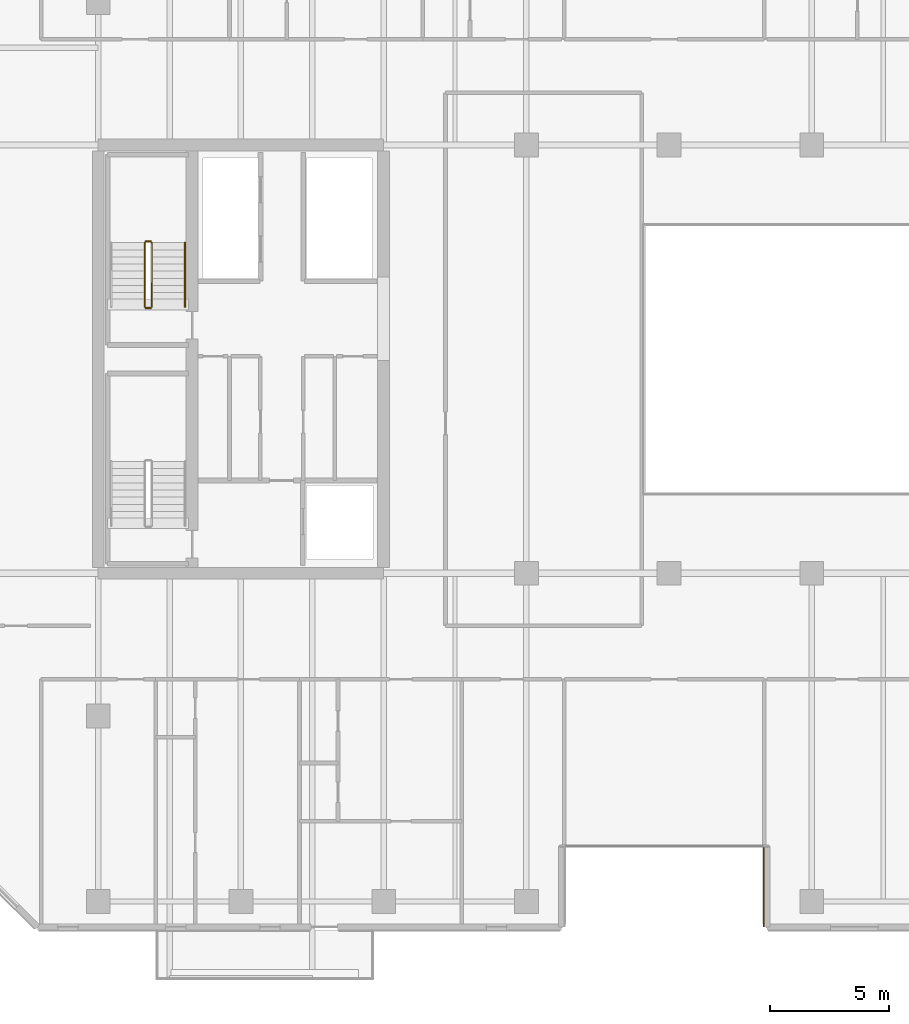
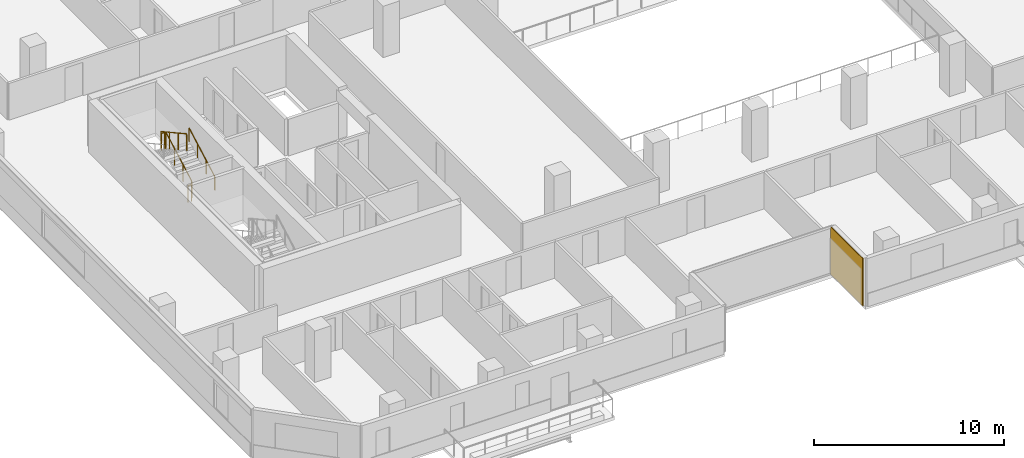
# One storey, part 20 of 23: 5 railings, 1 covering.
"""IFC4 building model written with IfcOpenShell, lengths in metres."""

from ifc_helpers import new_model, si_unit, direction, frame, origin, origin_2d, place, context, subcontext, project, spatial, rectangle, extrude, material, layer, layer_set, type_object, element, save


model = new_model("IFC4")

# Units and contexts
model_context = context("Model", 3, precision=1e-05, world=origin(), true_north=direction((0.0, 1.0)))
body_context = subcontext(model_context, "Body", "Model", "MODEL_VIEW")
ifc_project = project(units=[si_unit("LENGTHUNIT", "METRE"), si_unit("AREAUNIT", "SQUARE_METRE"), si_unit("VOLUMEUNIT", "CUBIC_METRE"), si_unit("PLANEANGLEUNIT", "RADIAN"), si_unit("MASSUNIT", "GRAM", prefix="KILO")], contexts=[model_context])

# Site, building, storey
site_placement = place(None, origin())
site = spatial("IfcSite", under=ifc_project, at=site_placement, CompositionType="ELEMENT")
building_placement = place(site_placement, origin())
building = spatial("IfcBuilding", under=site, at=building_placement, Name="Tanjung Sevakor Pilgrim Tower", CompositionType="ELEMENT")
storey_placement = place(building_placement, frame((0.0, 0.0, 88.77001953125)))
storey = spatial("IfcBuildingStorey", under=building, at=storey_placement, Name="L24", CompositionType="ELEMENT", Elevation=88.77001953125)

# Covering
ifc_material_1 = material(Name="Reconstructed Limestone Cladding", Category="masonry")
ifc_layer = layer(ifc_material_1, 0.044921875)
ifc_layer_set = layer_set([ifc_layer], Name="COV-CLAD-LIMESTONE")
covering_type = type_object("IfcCoveringType", Name="COV-CLAD-LIMESTONE", PredefinedType="CLADDING", material=ifc_layer_set)
covering_placement = place(storey_placement, frame((51.9775390625, 11.425048828125, 0.02001953125), z_axis=(0.0, 0.0, 1.0), x_axis=(0.0, -1.0, 0.0)))
element("IfcCovering", 1, at=covering_placement, inside=storey, type_object=covering_type, Name="L24 Warm Limestone Wall Cladding EW-L24-MAIN-4", PredefinedType="CLADDING", context=body_context, shape_type="SweptSolid", body=[
    extrude(rectangle(XDim=3.360107421875, YDim=0.044921875, at=origin_2d()), origin(), (0.0, 0.0, 1.0), 3.0400390625),
])

# Railings
ifc_material_2 = material(Name="Steel S355J2", Category="steel")
railing_type_1 = type_object("IfcRailingType", Name="RL-STAIR-GUARD", PredefinedType="GUARDRAIL", material=ifc_material_2)
railing_1_placement = place(storey_placement, frame((26.25, 35.800048828125, 0.1650390625)))
element("IfcRailing", 2, at=railing_1_placement, inside=storey, type_object=railing_type_1, Name="L24 TS-W2 stair guard 1", PredefinedType="GUARDRAIL", context=body_context, shape_type="SweptSolid", body=[
    extrude(rectangle(XDim=0.0479, YDim=0.0479), frame((0.0, 0.0, 1.076171875), z_axis=(0.0, 0.876230963923, 0.481891375584), x_axis=(-1.0, 0.0, 0.0)), (0.0, 0.0, 1.0), 3.081298828125),
    extrude(rectangle(XDim=0.042, YDim=0.042), origin(), (0.0, 0.0, 1.0), 1.052001953125),
    extrude(rectangle(XDim=0.042, YDim=0.042), frame((0.0, 0.89990234375, 0.494873046875)), (0.0, 0.0, 1.0), 1.052001953125),
    extrude(rectangle(XDim=0.042, YDim=0.042), frame((0.0, 1.800048828125, 0.989990234375)), (0.0, 0.0, 1.0), 1.052001953125),
    extrude(rectangle(XDim=0.042, YDim=0.042), frame((0.0, 2.699951171875, 1.48486328125)), (0.0, 0.0, 1.0), 1.052001953125),
])
railing_2_placement = place(storey_placement, frame((26.199951171875, 38.550048828125, 1.64990234375)))
element("IfcRailing", 3, at=railing_2_placement, inside=storey, type_object=railing_type_1, Name="L24 TS-W2 stair guard 2", PredefinedType="GUARDRAIL", context=body_context, shape_type="SweptSolid", body=[
    extrude(rectangle(XDim=0.0479, YDim=0.0479), frame((0.0, 0.0, 1.076171875), z_axis=(-1.0, 0.0, 0.0), x_axis=(0.0, -1.0, 0.0)), (0.0, 0.0, 1.0), 0.199951171875),
    extrude(rectangle(XDim=0.042, YDim=0.042), origin(), (0.0, 0.0, 1.0), 1.052001953125),
    extrude(rectangle(XDim=0.042, YDim=0.042), frame((-0.199951171875, 0.0, 0.0)), (0.0, 0.0, 1.0), 1.052001953125),
])
railing_3_placement = place(storey_placement, frame((25.949951171875, 38.5, 1.81494140625)))
element("IfcRailing", 4, at=railing_3_placement, inside=storey, type_object=railing_type_1, Name="L24 TS-W2 stair guard 3", PredefinedType="GUARDRAIL", context=body_context, shape_type="SweptSolid", body=[
    extrude(rectangle(XDim=0.0479, YDim=0.0479), frame((0.0, 0.0, 1.076171875), z_axis=(0.0, -0.876197507361, 0.481952205197), x_axis=(1.0, 0.0, 0.0)), (0.0, 0.0, 1.0), 3.08154296875),
    extrude(rectangle(XDim=0.042, YDim=0.042), origin(), (0.0, 0.0, 1.0), 1.052001953125),
    extrude(rectangle(XDim=0.042, YDim=0.042), frame((0.0, -0.89990234375, 0.4951171875)), (0.0, 0.0, 1.0), 1.052001953125),
    extrude(rectangle(XDim=0.042, YDim=0.042), frame((0.0, -1.800048828125, 0.989990234375)), (0.0, 0.0, 1.0), 1.052001953125),
    extrude(rectangle(XDim=0.042, YDim=0.042), frame((0.0, -2.699951171875, 1.485107421875)), (0.0, 0.0, 1.0), 1.052001953125),
])
railing_4_placement = place(storey_placement, frame((26.199951171875, 35.75, 0.0)))
element("IfcRailing", 5, at=railing_4_placement, inside=storey, type_object=railing_type_1, Name="L24 TS-W2 stair guard 4", PredefinedType="GUARDRAIL", context=body_context, shape_type="SweptSolid", body=[
    extrude(rectangle(XDim=0.0479, YDim=0.0479), frame((0.0, 0.0, 1.076171875), z_axis=(-1.0, 0.0, 0.0), x_axis=(0.0, -1.0, 0.0)), (0.0, 0.0, 1.0), 0.199951171875),
    extrude(rectangle(XDim=0.042, YDim=0.042), origin(), (0.0, 0.0, 1.0), 1.052001953125),
    extrude(rectangle(XDim=0.042, YDim=0.042), frame((-0.199951171875, 0.0, 0.0)), (0.0, 0.0, 1.0), 1.052001953125),
])
ifc_material_3 = material(Name="Steel S355J2", Category="steel")
railing_type_2 = type_object("IfcRailingType", Name="RL-STAIR-HAND", PredefinedType="HANDRAIL", material=ifc_material_3)
railing_5_placement = place(storey_placement, frame((27.64990234375, 35.800048828125, 0.1650390625)))
element("IfcRailing", 6, at=railing_5_placement, inside=storey, type_object=railing_type_2, Name="L24 TS-W2 stair handrail 1", PredefinedType="HANDRAIL", context=body_context, shape_type="SweptSolid", body=[
    extrude(rectangle(XDim=0.0479, YDim=0.0479), frame((0.0, 0.0, 0.8759765625), z_axis=(0.0, 0.876230963923, 0.481891375584), x_axis=(-1.0, 0.0, 0.0)), (0.0, 0.0, 1.0), 3.081298828125),
    extrude(rectangle(XDim=0.042, YDim=0.042), origin(), (0.0, 0.0, 1.0), 0.851806640625),
    extrude(rectangle(XDim=0.042, YDim=0.042), frame((0.0, 0.89990234375, 0.494873046875)), (0.0, 0.0, 1.0), 0.851806640625),
    extrude(rectangle(XDim=0.042, YDim=0.042), frame((0.0, 1.800048828125, 0.989990234375)), (0.0, 0.0, 1.0), 0.851806640625),
    extrude(rectangle(XDim=0.042, YDim=0.042), frame((0.0, 2.699951171875, 1.48486328125)), (0.0, 0.0, 1.0), 0.851806640625),
])

save(model, "model.ifc")
